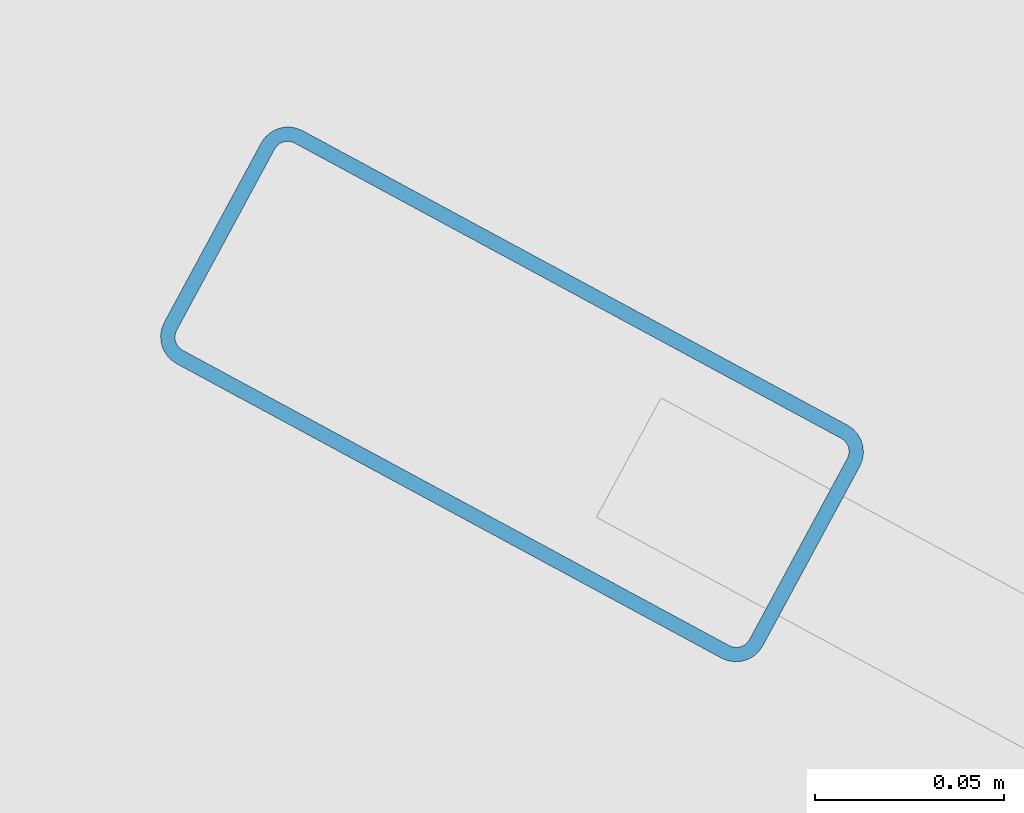
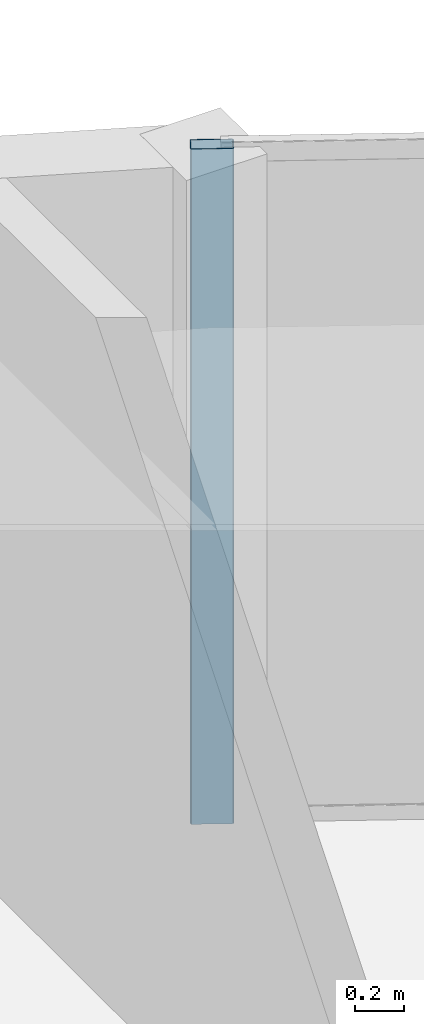
# One storey, part 7 of 13: 1 member, 1 element without a shape of its own.
"""IFC4 building model written with IfcOpenShell, lengths in metres."""

import ifcopenshell
import ifcopenshell.guid

model = None  # the IFC model being written
_history = None  # IfcOwnerHistory: only IFC2X3 demands one
_inside = {}  # id of a spatial element -> (the spatial element, [elements in it])
_under = {}  # id of a project, library or spatial element -> (it, [spatial elements below it])
_declared = {}  # id of a project -> (the project, [libraries it declares])
_typed = {}  # id of a type object -> (the type object, [elements of that type])
_made_of = {}  # id of a material, layer set ... -> (it, [elements and type objects made of it])


def new_model(schema):
    """Start an empty IFC model of exactly this schema.

    Asked for "IFC4X3", IfcOpenShell would pick the latest addendum, in which some entities
    have other attributes; the version numbers below select the first issue.
    IFC2X3 requires an IfcOwnerHistory on every rooted entity: one is made here for all.
    """
    global model, _history
    if schema == "IFC4X3":
        model = ifcopenshell.file(schema_version=(4, 3, 0, 0))
    else:
        model = ifcopenshell.file(schema=schema)
    _inside.clear()
    _under.clear()
    _declared.clear()
    _typed.clear()
    _made_of.clear()
    _history = None
    if model.schema == "IFC2X3":
        org = make("IfcOrganization", Name="unknown")
        user = make(
            "IfcPersonAndOrganization",
            ThePerson=make("IfcPerson", FamilyName="unknown"),
            TheOrganization=org,
        )
        app = make(
            "IfcApplication",
            ApplicationDeveloper=org,
            Version="unknown",
            ApplicationFullName="unknown",
            ApplicationIdentifier="unknown",
        )
        _history = make(
            "IfcOwnerHistory",
            OwningUser=user,
            OwningApplication=app,
            ChangeAction="ADDED",
            CreationDate=0,
        )
    return model


def make(cls, **values):
    """One entity of the class cls with the attributes given. An attribute that is None is left unset."""
    return model.create_entity(
        cls, **{name: value for name, value in values.items() if value is not None}
    )


def rooted(cls, **values):
    """An entity with a GlobalId (a new one), such as an element, a storey or a relation."""
    return make(cls, GlobalId=ifcopenshell.guid.new(), OwnerHistory=_history, **values)


def si_unit(unit_type, name, prefix=None):
    """IfcSIUnit, for example si_unit("LENGTHUNIT", "METRE", prefix="MILLI")."""
    return make("IfcSIUnit", UnitType=unit_type, Prefix=prefix, Name=name)


def assignment(units):
    """IfcUnitAssignment: the units of a project."""
    return None if units is None else make("IfcUnitAssignment", Units=units)


def point(xyz):
    """IfcCartesianPoint."""
    return None if xyz is None else make("IfcCartesianPoint", Coordinates=xyz)


def direction(xyz):
    """IfcDirection."""
    return None if xyz is None else make("IfcDirection", DirectionRatios=xyz)


def frame(location, z_axis=None, x_axis=None):
    """IfcAxis2Placement3D, a coordinate frame: its origin and axes. An axis left out is left unset."""
    return make(
        "IfcAxis2Placement3D",
        Location=point(location),
        Axis=direction(z_axis),
        RefDirection=direction(x_axis),
    )


def frame_2d(location, x_axis=None):
    """IfcAxis2Placement2D, a coordinate frame in the plane: its origin and x axis."""
    return make(
        "IfcAxis2Placement2D", Location=point(location), RefDirection=direction(x_axis)
    )


def origin():
    """The frame at (0, 0, 0) with its axes left unset."""
    return frame((0.0, 0.0, 0.0))


def origin_2d():
    """The frame at (0, 0) in the plane with its x axis left unset."""
    return frame_2d((0.0, 0.0))


def place(relative_to, where):
    """IfcLocalPlacement: puts the frame where relative to a parent placement (None: the world)."""
    return make(
        "IfcLocalPlacement", PlacementRelTo=relative_to, RelativePlacement=where
    )


def context(
    kind, dimensions, precision=None, world=None, true_north=None, identifier=None
):
    """IfcGeometricRepresentationContext, for example the 3D "Model" context."""
    return make(
        "IfcGeometricRepresentationContext",
        ContextIdentifier=identifier,
        ContextType=kind,
        CoordinateSpaceDimension=dimensions,
        Precision=precision,
        WorldCoordinateSystem=world,
        TrueNorth=true_north,
    )


def subcontext(parent, identifier, kind, view, scale=None):
    """IfcGeometricRepresentationSubContext, for example "Body" below "Model"."""
    return make(
        "IfcGeometricRepresentationSubContext",
        ContextIdentifier=identifier,
        ContextType=kind,
        ParentContext=parent,
        TargetScale=scale,
        TargetView=view,
    )


def project(units=None, contexts=None):
    """IfcProject with its units and contexts."""
    return rooted(
        "IfcProject",
        Name="project",
        RepresentationContexts=contexts,
        UnitsInContext=assignment(units),
    )


def spatial(cls, under=None, at=None, **own):
    """A site, building, storey or space (cls), placed at a placement, below another one or the project."""
    s = rooted(cls, ObjectPlacement=at, **own)
    if under is not None:
        _under.setdefault(under.id(), (under, []))[1].append(s)
    return s


def profile(cls, at=None, kind="AREA", **sizes):
    """A parametric profile (cls). Its sizes go by their IFC names, for example OverallWidth=200.0."""
    return make(cls, ProfileType=kind, Position=at, **sizes)


def hollow_rectangle(**sizes):
    """IfcRectangleHollowProfileDef."""
    return profile("IfcRectangleHollowProfileDef", **sizes)


def extrude(swept, where, along, depth):
    """IfcExtrudedAreaSolid: the profile swept, set in the frame where, extruded along a direction by depth."""
    return make(
        "IfcExtrudedAreaSolid",
        SweptArea=swept,
        Position=where,
        ExtrudedDirection=direction(along),
        Depth=depth,
    )


def shape(context_of_items, identifier, shape_type, items):
    """IfcShapeRepresentation: the items that make up one representation, for example the "Body"."""
    return make(
        "IfcShapeRepresentation",
        ContextOfItems=context_of_items,
        RepresentationIdentifier=identifier,
        RepresentationType=shape_type,
        Items=items,
    )


def material(Name=None, Category=None):
    """IfcMaterial."""
    return make("IfcMaterial", Name=Name, Category=Category)


def layer(
    of_material, thickness, ventilated=None, Name=None, Category=None, Priority=None
):
    """IfcMaterialLayer: one layer of a wall or slab, of a material (None: an air gap)."""
    return make(
        "IfcMaterialLayer",
        Material=of_material,
        LayerThickness=thickness,
        IsVentilated=ventilated,
        Name=Name,
        Category=Category,
        Priority=Priority,
    )


def layer_set(layers, Name=None):
    """IfcMaterialLayerSet."""
    return make("IfcMaterialLayerSet", MaterialLayers=layers, LayerSetName=Name)


def material_profile(
    of_material, cross_section, Name=None, Category=None, Priority=None
):
    """IfcMaterialProfile: a cross section and its material."""
    return make(
        "IfcMaterialProfile",
        Name=Name,
        Material=of_material,
        Profile=cross_section,
        Priority=Priority,
        Category=Category,
    )


def profile_set(profiles, Name=None, composite=None):
    """IfcMaterialProfileSet."""
    return make(
        "IfcMaterialProfileSet",
        Name=Name,
        MaterialProfiles=profiles,
        CompositeProfile=composite,
    )


def made_of(thing, what):
    """Note that an element or type object is made of a material, layer set ...; save() writes the relation."""
    if what is not None:
        _made_of.setdefault(what.id(), (what, []))[1].append(thing)
    return thing


def type_object(cls, material=None, **own):
    """A type object (cls), such as IfcWallType, which elements share."""
    return made_of(rooted(cls, **own), material)


def element(
    cls,
    number,
    at=None,
    inside=None,
    cuts=None,
    type_object=None,
    material=None,
    context=None,
    identifier="Body",
    shape_type=None,
    held_by="IfcProductDefinitionShape",
    body=None,
    shapes=None,
    **own,
):
    """One element of the class cls, such as IfcWall. Its Tag is "e" and its number.

    at: its placement. inside: the storey or other place that contains it. cuts: it is an
    opening in that element (IfcRelVoidsElement). A single representation is given by context,
    identifier, shape_type and body (its items); several are given by shapes. held_by: the class
    of the entity that holds the representations. save() writes the other relations.
    """
    e = rooted(cls, Tag="e%d" % number, ObjectPlacement=at, **own)
    if body is not None:
        shapes = [shape(context, identifier, shape_type, body)]
    if shapes is not None:
        e.Representation = make(held_by, Representations=shapes)
    if inside is not None:
        _inside.setdefault(inside.id(), (inside, []))[1].append(e)
    if cuts is not None:
        rooted(
            "IfcRelVoidsElement", RelatingBuildingElement=cuts, RelatedOpeningElement=e
        )
    if type_object is not None:
        _typed.setdefault(type_object.id(), (type_object, []))[1].append(e)
    return made_of(e, material)


def aggregate(whole, parts):
    """IfcRelAggregates: a whole, such as a stair, and the parts it consists of."""
    return rooted("IfcRelAggregates", RelatingObject=whole, RelatedObjects=parts)


def save(model, path):
    """Write the relations noted so far, then the file.

    IfcRelAggregates (storeys below a building ...), IfcRelContainedInSpatialStructure (elements
    in a storey), IfcRelDefinesByType, IfcRelAssociatesMaterial and IfcRelDeclares: one each for
    every whole, place, type object, material and project.
    """
    for whole, parts in _under.values():
        aggregate(whole, parts)
    for where, things in _inside.values():
        rooted(
            "IfcRelContainedInSpatialStructure",
            RelatedElements=things,
            RelatingStructure=where,
        )
    for kind, things in _typed.values():
        rooted("IfcRelDefinesByType", RelatedObjects=things, RelatingType=kind)
    for what, things in _made_of.values():
        rooted("IfcRelAssociatesMaterial", RelatedObjects=things, RelatingMaterial=what)
    for by, libraries in _declared.values():
        rooted("IfcRelDeclares", RelatingContext=by, RelatedDefinitions=libraries)
    model.write(path)


model = new_model("IFC4")

# Units and contexts
model_context = context("Model", 3, precision=1e-05, world=origin(), true_north=direction((0.0, 1.0)))
body_context = subcontext(model_context, "Body", "Model", "MODEL_VIEW")
ifc_project = project(units=[si_unit("LENGTHUNIT", "METRE"), si_unit("AREAUNIT", "SQUARE_METRE"), si_unit("VOLUMEUNIT", "CUBIC_METRE"), si_unit("PLANEANGLEUNIT", "RADIAN"), si_unit("MASSUNIT", "GRAM", prefix="KILO")], contexts=[model_context])

# Site, building, storey
site_placement = place(None, origin())
site = spatial("IfcSite", under=ifc_project, at=site_placement, CompositionType="ELEMENT")
building_placement = place(site_placement, origin())
building = spatial("IfcBuilding", under=site, at=building_placement, Name="An Khanh Terracotta Commons", CompositionType="ELEMENT")
storey_placement = place(building_placement, frame((0.0, 0.0, 244.5)))
storey = spatial("IfcBuildingStorey", under=building, at=storey_placement, Name="L64", CompositionType="ELEMENT", Elevation=244.5)

# Curtain wall, member
ifc_material = material(Name="Anodised Aluminium 6063-T6", Category="aluminium")
ifc_layer = layer(ifc_material, 0.2099609375, Name="Anodised Aluminium 6063-T6")
ifc_layer_set = layer_set([ifc_layer], Name="Anodised Aluminium 6063-T6")
curtain_wall_type = type_object("IfcCurtainWallType", Name="CW-SYS-03", PredefinedType="USERDEFINED", material=ifc_layer_set)
curtain_wall_placement = place(storey_placement, origin())
curtain_wall = element("IfcCurtainWall", 1, at=curtain_wall_placement, inside=storey, type_object=curtain_wall_type, Name="L64 CW-03 Unitised Curtain Wall CW-L64-16", ObjectType="UNITISED CURTAIN WALL", PredefinedType="USERDEFINED")
ifc_material_profile = material_profile(ifc_material, hollow_rectangle(XDim=0.070068359375, YDim=0.179931640625, WallThickness=0.00390625, InnerFilletRadius=0.00390625, OuterFilletRadius=0.008056640625, at=origin_2d()), Name="RHS180x70x4")
ifc_profile_set = profile_set([ifc_material_profile], Name="Anodised Aluminium 6063-T6")
member_type = type_object("IfcMemberType", Name="CWM-RHS180x70x4", PredefinedType="MULLION", material=ifc_profile_set)
member_placement = place(storey_placement, frame((57.3876953125, 39.058349609375, 0.0), z_axis=(0.0, 0.0, 1.0), x_axis=(-0.47538088298, -0.879780095306, 0.0)))
member = element("IfcMember", 2, at=member_placement, type_object=member_type, Name="CW-03 mullion 5", PredefinedType="MULLION", context=body_context, shape_type="SweptSolid", body=[
    extrude(hollow_rectangle(XDim=0.070068359375, YDim=0.179931640625, WallThickness=0.00390625, InnerFilletRadius=0.00390625, OuterFilletRadius=0.008056640625, at=origin_2d()), origin(), (0.0, 0.0, 1.0), 3.360107421875),
])
aggregate(curtain_wall, [member])

save(model, "model.ifc")
